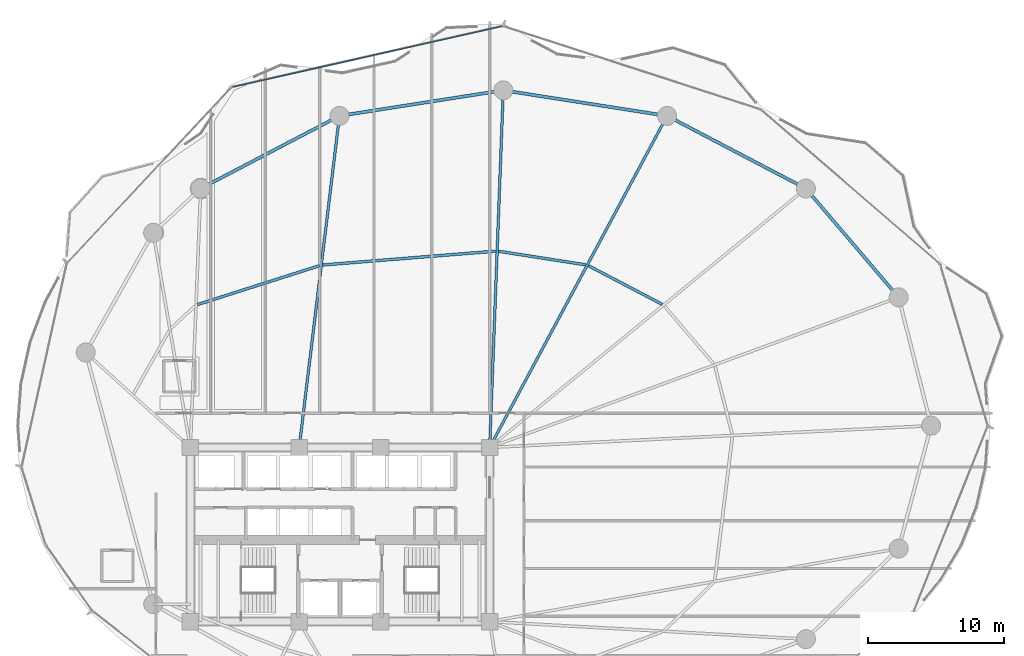
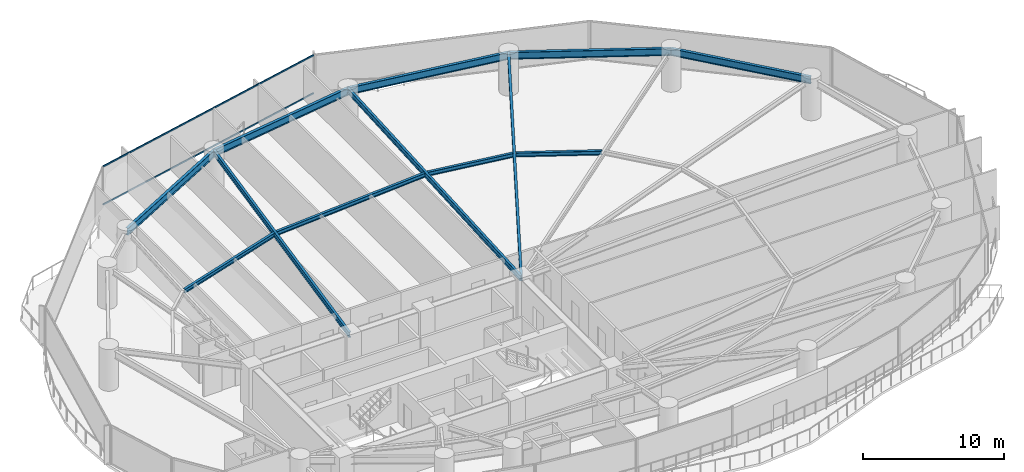
# One storey, part 18 of 33: 12 beams, 2 members, 1 element without a shape of its own.
"""IFC4 building model written with IfcOpenShell, lengths in metres."""

from ifc_helpers import new_model, si_unit, direction, frame, origin, origin_2d, place, context, subcontext, project, spatial, hollow_rectangle, i_section, extrude, material, layer, layer_set, material_profile, profile_set, type_object, element, aggregate, save


model = new_model("IFC4")

# Units and contexts
model_context = context("Model", 3, precision=1e-05, world=origin(), true_north=direction((0.0, 1.0)))
body_context = subcontext(model_context, "Body", "Model", "MODEL_VIEW")
ifc_project = project(units=[si_unit("LENGTHUNIT", "METRE"), si_unit("AREAUNIT", "SQUARE_METRE"), si_unit("VOLUMEUNIT", "CUBIC_METRE"), si_unit("PLANEANGLEUNIT", "RADIAN"), si_unit("MASSUNIT", "GRAM", prefix="KILO")], contexts=[model_context])

# Site, building, storey
site_placement = place(None, origin())
site = spatial("IfcSite", under=ifc_project, at=site_placement, CompositionType="ELEMENT")
building_placement = place(site_placement, origin())
building = spatial("IfcBuilding", under=site, at=building_placement, Name="Kazevale Care Tower and Concert Hall", CompositionType="ELEMENT")
storey_placement = place(building_placement, frame((0.0, 0.0, 31.199951171875)))
storey = spatial("IfcBuildingStorey", under=building, at=storey_placement, Name="L07", CompositionType="ELEMENT", Elevation=31.199951171875)

# Curtain wall, members
ifc_material_1 = material(Name="Aluminium 6063-T6 and Low-E Glass", Category="aluminium")
ifc_layer = layer(ifc_material_1, 0.179931640625)
ifc_layer_set = layer_set([ifc_layer], Name="Aluminium 6063-T6 and Low-E Glass")
curtain_wall_type = type_object("IfcCurtainWallType", Name="Convex Recessed Sunroom Curtain Wall CW-3", PredefinedType="NOTDEFINED", material=ifc_layer_set)
curtain_wall_placement = place(storey_placement, origin())
curtain_wall = element("IfcCurtainWall", 1, at=curtain_wall_placement, inside=storey, type_object=curtain_wall_type, Name="cw:L07:f15", PredefinedType="NOTDEFINED")
ifc_material_2 = material(Name="Aluminium 6063-T6", Category="aluminium")
ifc_material_profile_1 = material_profile(ifc_material_2, hollow_rectangle(XDim=0.074951171875, YDim=0.1201171875, WallThickness=0.00390625, at=origin_2d()), Name="ALU75x120x4")
ifc_profile_set_1 = profile_set([ifc_material_profile_1], Name="Aluminium 6063-T6")
member_type = type_object("IfcMemberType", Name="CW-3 Transom ALU75x120x4", PredefinedType="USERDEFINED", material=ifc_profile_set_1)
member_1_placement = place(storey_placement, frame((25.110107421875, 62.8935546875, 0.03759765625), z_axis=(0.975519983898, 0.219910802409, 0.0), x_axis=(-0.219910802409, 0.975519983898, 0.0)))
member_1 = element("IfcMember", 2, at=member_1_placement, type_object=member_type, Name="CW-3 transom 1.1", ObjectType="TRANSOM", PredefinedType="USERDEFINED", context=body_context, shape_type="SweptSolid", body=[
    extrude(hollow_rectangle(XDim=0.074951171875, YDim=0.1201171875, WallThickness=0.00390625, at=origin_2d()), origin(), (0.0, 0.0, 1.0), 20.27197265625),
])
member_2_placement = place(storey_placement, frame((25.110107421875, 62.8935546875, 3.322509765625), z_axis=(0.975519983898, 0.219910802409, 0.0), x_axis=(-0.219910802409, 0.975519983898, 0.0)))
member_2 = element("IfcMember", 3, at=member_2_placement, type_object=member_type, Name="CW-3 transom 1.2", ObjectType="TRANSOM", PredefinedType="USERDEFINED", context=body_context, shape_type="SweptSolid", body=[
    extrude(hollow_rectangle(XDim=0.074951171875, YDim=0.1201171875, WallThickness=0.00390625, at=origin_2d()), origin(), (0.0, 0.0, 1.0), 20.27197265625),
])
aggregate(curtain_wall, [member_1, member_2])

# Beams
ifc_material_3 = material(Name="Steel ASTM A572 Gr 50", Category="steel")
ifc_material_profile_2 = material_profile(ifc_material_3, i_section(OverallWidth=0.19091796875, OverallDepth=0.4599609375, WebThickness=0.010009765625, FlangeThickness=0.01611328125, at=origin_2d()), Name="W460x82")
ifc_profile_set_2 = profile_set([ifc_material_profile_2], Name="Steel ASTM A572 Gr 50")
beam_type_1 = type_object("IfcBeamType", Name="Radial Floor Beam W460x82", PredefinedType="BEAM", material=ifc_profile_set_2)
beam_1_placement = place(storey_placement, frame((44.0, 36.39990234375, 3.130126953125), z_axis=(0.471788966953, 0.88171150081, 0.0), x_axis=(-0.88171150081, 0.471788966953, 0.0)))
element("IfcBeam", 4, at=beam_1_placement, inside=storey, type_object=beam_type_1, Name="beam:L07:rad:04", PredefinedType="BEAM", context=body_context, shape_type="SweptSolid", body=[
    extrude(i_section(OverallWidth=0.19091796875, OverallDepth=0.4599609375, WebThickness=0.010009765625, FlangeThickness=0.01611328125, at=origin_2d()), origin(), (0.0, 0.0, 1.0), 27.6396484375),
])
beam_2_placement = place(storey_placement, frame((44.0, 36.39990234375, 3.130126953125), z_axis=(0.038067625343, 0.999275165258, 0.0), x_axis=(-0.999275165258, 0.038067625343, 0.0)))
element("IfcBeam", 5, at=beam_2_placement, inside=storey, type_object=beam_type_1, Name="beam:L07:rad:05", PredefinedType="BEAM", context=body_context, shape_type="SweptSolid", body=[
    extrude(i_section(OverallWidth=0.19091796875, OverallDepth=0.4599609375, WebThickness=0.010009765625, FlangeThickness=0.01611328125, at=origin_2d()), origin(), (0.0, 0.0, 1.0), 26.26904296875),
])
beam_3_placement = place(storey_placement, frame((30.0, 36.39990234375, 3.130126953125), z_axis=(0.120572526662, 0.9927045209, 0.0), x_axis=(-0.9927045209, 0.120572526662, 0.0)))
element("IfcBeam", 6, at=beam_3_placement, inside=storey, type_object=beam_type_1, Name="beam:L07:rad:06", PredefinedType="BEAM", context=body_context, shape_type="SweptSolid", body=[
    extrude(i_section(OverallWidth=0.19091796875, OverallDepth=0.4599609375, WebThickness=0.010009765625, FlangeThickness=0.01611328125, at=origin_2d()), origin(), (0.0, 0.0, 1.0), 24.54931640625),
])
ifc_material_profile_3 = material_profile(ifc_material_3, i_section(OverallWidth=0.22900390625, OverallDepth=0.612060546875, WebThickness=0.011962890625, FlangeThickness=0.01953125, at=origin_2d()), Name="W610x125")
ifc_profile_set_3 = profile_set([ifc_material_profile_3], Name="Steel ASTM A572 Gr 50")
beam_type_2 = type_object("IfcBeamType", Name="Ring Spandrel Beam W610x125", PredefinedType="SPANDREL", material=ifc_profile_set_3)
beam_4_placement = place(storey_placement, frame((74.06005859375, 47.429931640625, 3.053955078125), z_axis=(-0.648756004283, 0.760996482848, 0.0), x_axis=(-0.760996482848, -0.648756004283, 0.0)))
element("IfcBeam", 7, at=beam_4_placement, inside=storey, type_object=beam_type_2, Name="beam:L07:ring:02", PredefinedType="SPANDREL", context=body_context, shape_type="SweptSolid", body=[
    extrude(i_section(OverallWidth=0.22900390625, OverallDepth=0.612060546875, WebThickness=0.011962890625, FlangeThickness=0.01953125, at=origin_2d()), origin(), (0.0, 0.0, 1.0), 10.512451171875),
])
beam_5_placement = place(storey_placement, frame((67.239990234375, 55.429931640625, 3.053955078125), z_axis=(-0.885929466679, 0.463819986708, 0.0), x_axis=(-0.463819986708, -0.885929466679, 0.0)))
element("IfcBeam", 8, at=beam_5_placement, inside=storey, type_object=beam_type_2, Name="beam:L07:ring:03", PredefinedType="SPANDREL", context=body_context, shape_type="SweptSolid", body=[
    extrude(i_section(OverallWidth=0.22900390625, OverallDepth=0.612060546875, WebThickness=0.011962890625, FlangeThickness=0.01953125, at=origin_2d()), origin(), (0.0, 0.0, 1.0), 11.51318359375),
])
for number, where, z_axis, x_axis, name in (
    (9, (57.0400390625, 60.77001953125, 3.053955078125), (-0.988029216561, 0.154266870134, 0.0), (-0.154266870134, -0.988029216561, 0.0), "beam:L07:ring:04"),
    (10, (45.0, 62.64990234375, 3.053955078125), (-0.988029216561, -0.154266870134, 0.0), (0.154266870134, -0.988029216561, 0.0), "beam:L07:ring:05"),
):
    element("IfcBeam", number, at=place(storey_placement, frame(where, z_axis=z_axis, x_axis=x_axis)), inside=storey, type_object=beam_type_2, Name=name, PredefinedType="SPANDREL", context=body_context, shape_type="SweptSolid", body=[
        extrude(i_section(OverallWidth=0.22900390625, OverallDepth=0.612060546875, WebThickness=0.011962890625, FlangeThickness=0.01953125, at=origin_2d()), origin(), (0.0, 0.0, 1.0), 12.18603515625),
    ])
beam_6_placement = place(storey_placement, frame((32.9599609375, 60.77001953125, 3.053955078125), z_axis=(-0.885929466679, -0.463819986708, 0.0), x_axis=(0.463819986708, -0.885929466679, 0.0)))
element("IfcBeam", 11, at=beam_6_placement, inside=storey, type_object=beam_type_2, Name="beam:L07:ring:06", PredefinedType="SPANDREL", context=body_context, shape_type="SweptSolid", body=[
    extrude(i_section(OverallWidth=0.22900390625, OverallDepth=0.612060546875, WebThickness=0.011962890625, FlangeThickness=0.01953125, at=origin_2d()), origin(), (0.0, 0.0, 1.0), 11.51318359375),
])
ifc_material_profile_4 = material_profile(ifc_material_3, i_section(OverallWidth=0.205078125, OverallDepth=0.35400390625, WebThickness=0.009521484375, FlangeThickness=0.016845703125, at=origin_2d()), Name="W360x79")
ifc_profile_set_4 = profile_set([ifc_material_profile_4], Name="Steel ASTM A572 Gr 50")
beam_type_3 = type_object("IfcBeamType", Name="Secondary Floor Joist W360x79", PredefinedType="JOIST", material=ifc_profile_set_4)
beam_7_placement = place(storey_placement, frame((56.68896484375, 46.9150390625, 3.18310546875), z_axis=(-0.885921274797, 0.463835633454, 0.0), x_axis=(-0.463835633454, -0.885921274797, 0.0)))
element("IfcBeam", 12, at=beam_7_placement, inside=storey, type_object=beam_type_3, Name="beam:L07:joist:03", PredefinedType="JOIST", context=body_context, shape_type="SweptSolid", body=[
    extrude(i_section(OverallWidth=0.205078125, OverallDepth=0.35400390625, WebThickness=0.009521484375, FlangeThickness=0.016845703125, at=origin_2d()), origin(), (0.0, 0.0, 1.0), 6.12255859375),
])
beam_8_placement = place(storey_placement, frame((51.068115234375, 49.820068359375, 3.18310546875), z_axis=(-0.988040697826, 0.154193318403, 0.0), x_axis=(-0.154193318403, -0.988040697826, 0.0)))
element("IfcBeam", 13, at=beam_8_placement, inside=storey, type_object=beam_type_3, Name="beam:L07:joist:04", PredefinedType="JOIST", context=body_context, shape_type="SweptSolid", body=[
    extrude(i_section(OverallWidth=0.205078125, OverallDepth=0.35400390625, WebThickness=0.009521484375, FlangeThickness=0.016845703125, at=origin_2d()), origin(), (0.0, 0.0, 1.0), 6.49169921875),
])
beam_9_placement = place(storey_placement, frame((44.445068359375, 50.8291015625, 3.18310546875), z_axis=(-0.996814548036, -0.079754353015, 0.0), x_axis=(0.079754353015, -0.996814548036, 0.0)))
element("IfcBeam", 14, at=beam_9_placement, inside=storey, type_object=beam_type_3, Name="beam:L07:joist:05", PredefinedType="JOIST", context=body_context, shape_type="SweptSolid", body=[
    extrude(i_section(OverallWidth=0.205078125, OverallDepth=0.35400390625, WebThickness=0.009521484375, FlangeThickness=0.016845703125, at=origin_2d()), origin(), (0.0, 0.0, 1.0), 12.752685546875),
])
beam_10_placement = place(storey_placement, frame((31.528076171875, 49.77197265625, 3.18310546875), z_axis=(-0.9527054955, -0.303895111584, 0.0), x_axis=(0.303895111584, -0.9527054955, 0.0)))
element("IfcBeam", 15, at=beam_10_placement, inside=storey, type_object=beam_type_3, Name="beam:L07:joist:06", PredefinedType="JOIST", context=body_context, shape_type="SweptSolid", body=[
    extrude(i_section(OverallWidth=0.205078125, OverallDepth=0.35400390625, WebThickness=0.009521484375, FlangeThickness=0.016845703125, at=origin_2d()), origin(), (0.0, 0.0, 1.0), 9.457275390625),
])

save(model, "model.ifc")
